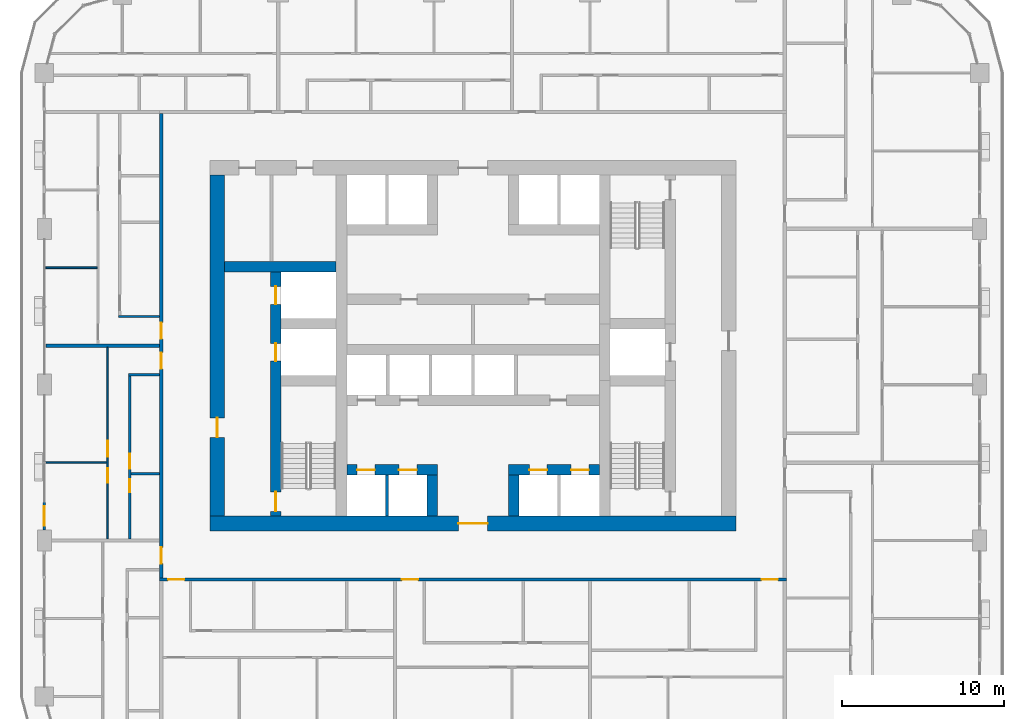
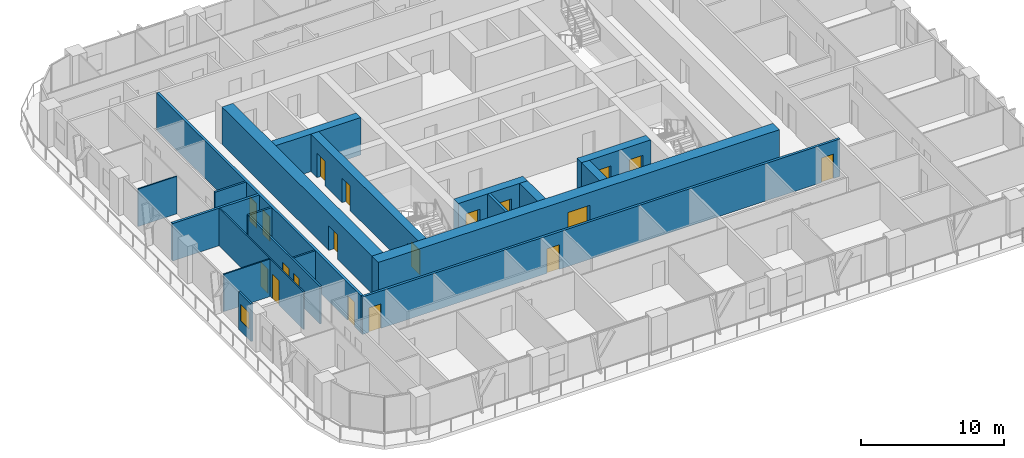
# One storey, part 10 of 22: 20 walls, 19 doors, 1 window, 20 openings.
"""IFC4 building model written with IfcOpenShell, lengths in metres."""

from ifc_helpers import new_model, si_unit, direction, frame, frame_2d, origin, place, context, subcontext, project, spatial, rectangle, extrude, material, layer, layer_set, type_object, element, fill, save


model = new_model("IFC4")

# Units and contexts
model_context = context("Model", 3, precision=1e-05, world=origin(), true_north=direction((0.0, 1.0)))
body_context = subcontext(model_context, "Body", "Model", "MODEL_VIEW")
ifc_project = project(units=[si_unit("LENGTHUNIT", "METRE"), si_unit("AREAUNIT", "SQUARE_METRE"), si_unit("VOLUMEUNIT", "CUBIC_METRE"), si_unit("PLANEANGLEUNIT", "RADIAN"), si_unit("MASSUNIT", "GRAM", prefix="KILO")], contexts=[model_context])

# Site, building, storey
site_placement = place(None, origin())
site = spatial("IfcSite", under=ifc_project, at=site_placement, CompositionType="ELEMENT")
building_placement = place(site_placement, origin())
building = spatial("IfcBuilding", under=site, at=building_placement, Name="Madar Terraces", CompositionType="ELEMENT")
storey_placement = place(building_placement, frame((0.0, 0.0, 73.300048828125)))
storey = spatial("IfcBuildingStorey", under=building, at=storey_placement, Name="L18", CompositionType="ELEMENT", Elevation=73.300048828125)

# Wall, openings, doors
ifc_material_1 = material(Name="Concrete C80/95", Category="concrete")
ifc_layer_1 = layer(ifc_material_1, 0.64990234375)
ifc_layer_set_1 = layer_set([ifc_layer_1], Name="Concrete C80/95 (CIW2 RC wall 650)")
wall_type_1 = type_object("IfcWallType", Name="CIW2 RC wall 650", PredefinedType="SHEAR", material=ifc_layer_set_1)
wall_1_placement = place(storey_placement, frame((19.050048828125, 15.89990234375, 0.0), z_axis=(0.0, 0.0, 1.0), x_axis=(0.0, 1.0, 0.0)))
wall_1 = element("IfcWall", 1, at=wall_1_placement, inside=storey, type_object=wall_type_1, Name="CORE SHAFT WALL", PredefinedType="SHEAR", context=body_context, shape_type="SweptSolid", body=[
    extrude(rectangle(XDim=15.025146484375, YDim=0.64990234375, at=frame_2d((7.5126953125, 0.0))), origin(), (0.0, 0.0, 1.0), 3.199951171875),
])
opening_1_placement = place(wall_1_placement, frame((9.550048828125, 0.0, 0.0)))
opening_1 = element("IfcOpeningElement", 2, at=opening_1_placement, cuts=wall_1, Name="Opening LD", PredefinedType="OPENING", context=body_context, shape_type="SweptSolid", body=[
    extrude(rectangle(XDim=1.10009765625, YDim=2.10009765625, at=frame_2d((0.550048828125, 1.050048828125))), frame((0.0, 0.3349609375, 0.0), z_axis=(0.0, -1.0, 0.0), x_axis=(1.0, 0.0, 0.0)), (0.0, 0.0, 1.0), 0.669921875),
])
opening_2_placement = place(wall_1_placement, frame((13.050048828125, 0.0, 0.0)))
opening_2 = element("IfcOpeningElement", 3, at=opening_2_placement, cuts=wall_1, Name="Opening LD", PredefinedType="OPENING", context=body_context, shape_type="SweptSolid", body=[
    extrude(rectangle(XDim=1.10009765625, YDim=2.10009765625, at=frame_2d((0.550048828125, 1.050048828125))), frame((0.0, 0.3349609375, 0.0), z_axis=(0.0, -1.0, 0.0), x_axis=(1.0, 0.0, 0.0)), (0.0, 0.0, 1.0), 0.669921875),
])
opening_3_placement = place(wall_1_placement, frame((0.300048828125, 0.0, 0.0)))
opening_3 = element("IfcOpeningElement", 4, at=opening_3_placement, cuts=wall_1, Name="Opening SD1", PredefinedType="OPENING", context=body_context, shape_type="SweptSolid", body=[
    extrude(rectangle(XDim=1.199951171875, YDim=2.10009765625, at=frame_2d((0.60009765625, 1.050048828125))), frame((0.0, 0.3349609375, 0.0), z_axis=(0.0, -1.0, 0.0), x_axis=(1.0, 0.0, 0.0)), (0.0, 0.0, 1.0), 0.669921875),
])
ifc_material_2 = material(Name="Stainless steel panel", Category="steel")
door_type_1 = type_object("IfcDoorType", Name="Lift landing door 1100 x 2100", OperationType="DOUBLE_DOOR_SLIDING", PredefinedType="DOOR", material=ifc_material_2)
door_1_placement = place(opening_1_placement, origin())
door_1 = element("IfcDoor", 5, at=door_1_placement, inside=storey, type_object=door_type_1, Name="LIFT LANDING DOOR", OperationType="DOUBLE_DOOR_SLIDING", OverallHeight=2.10009765625, OverallWidth=1.10009765625, PredefinedType="DOOR", context=body_context, shape_type="SweptSolid", body=[
    extrude(rectangle(XDim=1.10009765625, YDim=2.10009765625, at=frame_2d((0.550048828125, 1.050048828125))), frame((0.0, 0.02490234375, 0.0), z_axis=(0.0, -1.0, 0.0), x_axis=(1.0, 0.0, 0.0)), (0.0, 0.0, 1.0), 0.050048828125),
])
fill(opening_1, door_1)
door_2_placement = place(opening_2_placement, origin())
door_2 = element("IfcDoor", 6, at=door_2_placement, inside=storey, type_object=door_type_1, Name="LIFT LANDING DOOR", OperationType="DOUBLE_DOOR_SLIDING", OverallHeight=2.10009765625, OverallWidth=1.10009765625, PredefinedType="DOOR", context=body_context, shape_type="SweptSolid", body=[
    extrude(rectangle(XDim=1.10009765625, YDim=2.10009765625, at=frame_2d((0.550048828125, 1.050048828125))), frame((0.0, 0.02490234375, 0.0), z_axis=(0.0, -1.0, 0.0), x_axis=(1.0, 0.0, 0.0)), (0.0, 0.0, 1.0), 0.050048828125),
])
fill(opening_2, door_2)
ifc_material_3 = material(Name="Steel door leaf", Category="steel")
door_type_2 = type_object("IfcDoorType", Name="Stair door 1200 x 2100", OperationType="NOTDEFINED", PredefinedType="DOOR", material=ifc_material_3)
door_3_placement = place(opening_3_placement, frame((1.199951171875, 0.0, 0.0), z_axis=(0.0, 0.0, 1.0), x_axis=(-1.0, 0.0, 0.0)))
door_3 = element("IfcDoor", 7, at=door_3_placement, inside=storey, type_object=door_type_2, Name="STAIR DOOR", OperationType="SINGLE_SWING_RIGHT", OverallHeight=2.10009765625, OverallWidth=1.199951171875, PredefinedType="DOOR", context=body_context, shape_type="SweptSolid", body=[
    extrude(rectangle(XDim=1.199951171875, YDim=2.10009765625, at=frame_2d((0.60009765625, 1.050048828125))), frame((0.0, 0.02490234375, 0.0), z_axis=(0.0, -1.0, 0.0), x_axis=(1.0, 0.0, 0.0)), (0.0, 0.0, 1.0), 0.050048828125),
])
fill(opening_3, door_3)

# Wall
wall_2_placement = place(storey_placement, frame((15.89990234375, 31.25, 0.0), z_axis=(0.0, 0.0, 1.0), x_axis=(1.0, 0.0, 0.0)))
element("IfcWall", 8, at=wall_2_placement, inside=storey, type_object=wall_type_1, Name="CORE SHAFT WALL", PredefinedType="SHEAR", context=body_context, shape_type="SweptSolid", body=[
    extrude(rectangle(XDim=6.875, YDim=0.64990234375, at=frame_2d((3.4375, 0.0))), origin(), (0.0, 0.0, 1.0), 3.199951171875),
])

# Wall, openings, doors
wall_3_placement = place(storey_placement, frame((23.425048828125, 18.75, 0.0), z_axis=(0.0, 0.0, 1.0), x_axis=(1.0, 0.0, 0.0)))
wall_3 = element("IfcWall", 9, at=wall_3_placement, inside=storey, type_object=wall_type_1, Name="CORE SHAFT WALL", PredefinedType="SHEAR", context=body_context, shape_type="SweptSolid", body=[
    extrude(rectangle(XDim=5.599853515625, YDim=0.64990234375, at=frame_2d((2.7998046875, 0.0))), origin(), (0.0, 0.0, 1.0), 3.199951171875),
])
opening_4_placement = place(wall_3_placement, frame((0.637451171875, 0.0, 0.0)))
opening_4 = element("IfcOpeningElement", 10, at=opening_4_placement, cuts=wall_3, Name="Opening LD", PredefinedType="OPENING", context=body_context, shape_type="SweptSolid", body=[
    extrude(rectangle(XDim=1.10009765625, YDim=2.10009765625, at=frame_2d((0.550048828125, 1.050048828125))), frame((0.0, 0.3349609375, 0.0), z_axis=(0.0, -1.0, 0.0), x_axis=(1.0, 0.0, 0.0)), (0.0, 0.0, 1.0), 0.669921875),
])
opening_5_placement = place(wall_3_placement, frame((3.21240234375, 0.0, 0.0)))
opening_5 = element("IfcOpeningElement", 11, at=opening_5_placement, cuts=wall_3, Name="Opening LD", PredefinedType="OPENING", context=body_context, shape_type="SweptSolid", body=[
    extrude(rectangle(XDim=1.10009765625, YDim=2.10009765625, at=frame_2d((0.550048828125, 1.050048828125))), frame((0.0, 0.3349609375, 0.0), z_axis=(0.0, -1.0, 0.0), x_axis=(1.0, 0.0, 0.0)), (0.0, 0.0, 1.0), 0.669921875),
])
door_4_placement = place(opening_4_placement, origin())
door_4 = element("IfcDoor", 12, at=door_4_placement, inside=storey, type_object=door_type_1, Name="LIFT LANDING DOOR", OperationType="DOUBLE_DOOR_SLIDING", OverallHeight=2.10009765625, OverallWidth=1.10009765625, PredefinedType="DOOR", context=body_context, shape_type="SweptSolid", body=[
    extrude(rectangle(XDim=1.10009765625, YDim=2.10009765625, at=frame_2d((0.550048828125, 1.050048828125))), frame((0.0, 0.02490234375, 0.0), z_axis=(0.0, -1.0, 0.0), x_axis=(1.0, 0.0, 0.0)), (0.0, 0.0, 1.0), 0.050048828125),
])
fill(opening_4, door_4)
door_5_placement = place(opening_5_placement, origin())
door_5 = element("IfcDoor", 13, at=door_5_placement, inside=storey, type_object=door_type_1, Name="LIFT LANDING DOOR", OperationType="DOUBLE_DOOR_SLIDING", OverallHeight=2.10009765625, OverallWidth=1.10009765625, PredefinedType="DOOR", context=body_context, shape_type="SweptSolid", body=[
    extrude(rectangle(XDim=1.10009765625, YDim=2.10009765625, at=frame_2d((0.550048828125, 1.050048828125))), frame((0.0, 0.02490234375, 0.0), z_axis=(0.0, -1.0, 0.0), x_axis=(1.0, 0.0, 0.0)), (0.0, 0.0, 1.0), 0.050048828125),
])
fill(opening_5, door_5)

wall_4_placement = place(storey_placement, frame((33.375, 18.75, 0.0), z_axis=(0.0, 0.0, 1.0), x_axis=(1.0, 0.0, 0.0)))
wall_4 = element("IfcWall", 14, at=wall_4_placement, inside=storey, type_object=wall_type_1, Name="CORE SHAFT WALL", PredefinedType="SHEAR", context=body_context, shape_type="SweptSolid", body=[
    extrude(rectangle(XDim=5.60009765625, YDim=0.64990234375, at=frame_2d((2.800048828125, 0.0))), origin(), (0.0, 0.0, 1.0), 3.199951171875),
])
opening_6_placement = place(wall_4_placement, frame((1.28759765625, 0.0, 0.0)))
opening_6 = element("IfcOpeningElement", 15, at=opening_6_placement, cuts=wall_4, Name="Opening LD", PredefinedType="OPENING", context=body_context, shape_type="SweptSolid", body=[
    extrude(rectangle(XDim=1.10009765625, YDim=2.10009765625, at=frame_2d((0.550048828125, 1.050048828125))), frame((0.0, 0.3349609375, 0.0), z_axis=(0.0, -1.0, 0.0), x_axis=(1.0, 0.0, 0.0)), (0.0, 0.0, 1.0), 0.669921875),
])
opening_7_placement = place(wall_4_placement, frame((3.862548828125, 0.0, 0.0)))
opening_7 = element("IfcOpeningElement", 16, at=opening_7_placement, cuts=wall_4, Name="Opening LD", PredefinedType="OPENING", context=body_context, shape_type="SweptSolid", body=[
    extrude(rectangle(XDim=1.10009765625, YDim=2.10009765625, at=frame_2d((0.550048828125, 1.050048828125))), frame((0.0, 0.3349609375, 0.0), z_axis=(0.0, -1.0, 0.0), x_axis=(1.0, 0.0, 0.0)), (0.0, 0.0, 1.0), 0.669921875),
])
door_6_placement = place(opening_6_placement, origin())
door_6 = element("IfcDoor", 17, at=door_6_placement, inside=storey, type_object=door_type_1, Name="LIFT LANDING DOOR", OperationType="DOUBLE_DOOR_SLIDING", OverallHeight=2.10009765625, OverallWidth=1.10009765625, PredefinedType="DOOR", context=body_context, shape_type="SweptSolid", body=[
    extrude(rectangle(XDim=1.10009765625, YDim=2.10009765625, at=frame_2d((0.550048828125, 1.050048828125))), frame((0.0, 0.02490234375, 0.0), z_axis=(0.0, -1.0, 0.0), x_axis=(1.0, 0.0, 0.0)), (0.0, 0.0, 1.0), 0.050048828125),
])
fill(opening_6, door_6)
door_7_placement = place(opening_7_placement, origin())
door_7 = element("IfcDoor", 18, at=door_7_placement, inside=storey, type_object=door_type_1, Name="LIFT LANDING DOOR", OperationType="DOUBLE_DOOR_SLIDING", OverallHeight=2.10009765625, OverallWidth=1.10009765625, PredefinedType="DOOR", context=body_context, shape_type="SweptSolid", body=[
    extrude(rectangle(XDim=1.10009765625, YDim=2.10009765625, at=frame_2d((0.550048828125, 1.050048828125))), frame((0.0, 0.02490234375, 0.0), z_axis=(0.0, -1.0, 0.0), x_axis=(1.0, 0.0, 0.0)), (0.0, 0.0, 1.0), 0.050048828125),
])
fill(opening_7, door_7)

# Walls
for number, where, z_axis, x_axis, name in (
    (19, (28.699951171875, 15.89990234375, 0.0), (0.0, 0.0, 1.0), (0.0, 1.0, 0.0), "CORE SHAFT WALL"),
    (20, (33.699951171875, 15.89990234375, 0.0), (0.0, 0.0, 1.0), (0.0, 1.0, 0.0), "CORE SHAFT WALL"),
):
    element("IfcWall", number, at=place(storey_placement, frame(where, z_axis=z_axis, x_axis=x_axis)), inside=storey, type_object=wall_type_1, Name=name, PredefinedType="SHEAR", context=body_context, shape_type="SweptSolid", body=[
        extrude(rectangle(XDim=2.525146484375, YDim=0.64990234375, at=frame_2d((1.2626953125, 0.0))), origin(), (0.0, 0.0, 1.0), 3.199951171875),
    ])

# Wall, opening, door
ifc_material_4 = material(Name="Concrete C80/95", Category="concrete")
ifc_layer_2 = layer(ifc_material_4, 0.89990234375)
ifc_layer_set_2 = layer_set([ifc_layer_2], Name="Concrete C80/95 (CRW2 RC wall 900)")
wall_type_2 = type_object("IfcWallType", Name="CRW2 RC wall 900", PredefinedType="SHEAR", material=ifc_layer_set_2)
wall_5_placement = place(storey_placement, frame((15.0, 15.449951171875, 0.0), z_axis=(0.0, 0.0, 1.0), x_axis=(1.0, 0.0, 0.0)))
wall_5 = element("IfcWall", 21, at=wall_5_placement, inside=storey, type_object=wall_type_2, Name="CORE OUTER WALL", PredefinedType="SHEAR", context=body_context, shape_type="SweptSolid", body=[
    extrude(rectangle(XDim=32.39990234375, YDim=0.89990234375, at=frame_2d((16.199951171875, 0.0))), origin(), (0.0, 0.0, 1.0), 3.199951171875),
])
opening_8_placement = place(wall_5_placement, frame((15.300048828125, 0.0, 0.0)))
opening_8 = element("IfcOpeningElement", 22, at=opening_8_placement, cuts=wall_5, Name="Opening KD1", PredefinedType="OPENING", context=body_context, shape_type="SweptSolid", body=[
    extrude(rectangle(XDim=1.800048828125, YDim=2.10009765625, at=frame_2d((0.89990234375, 1.050048828125))), frame((0.0, 0.4599609375, 0.0), z_axis=(0.0, -1.0, 0.0), x_axis=(1.0, 0.0, 0.0)), (0.0, 0.0, 1.0), 0.919921875),
])
ifc_material_5 = material(Name="Steel door leaf", Category="steel")
door_type_3 = type_object("IfcDoorType", Name="Lobby door pair 1800 x 2100", OperationType="DOUBLE_DOOR_SINGLE_SWING", PredefinedType="DOOR", material=ifc_material_5)
door_8_placement = place(opening_8_placement, frame((1.800048828125, 0.0, 0.0), z_axis=(0.0, 0.0, 1.0), x_axis=(-1.0, 0.0, 0.0)))
door_8 = element("IfcDoor", 23, at=door_8_placement, inside=storey, type_object=door_type_3, Name="LIFT LOBBY DOOR", OperationType="DOUBLE_DOOR_SINGLE_SWING", OverallHeight=2.10009765625, OverallWidth=1.800048828125, PredefinedType="DOOR", context=body_context, shape_type="SweptSolid", body=[
    extrude(rectangle(XDim=1.800048828125, YDim=2.10009765625, at=frame_2d((0.89990234375, 1.050048828125))), frame((0.0, 0.02490234375, 0.0), z_axis=(0.0, -1.0, 0.0), x_axis=(1.0, 0.0, 0.0)), (0.0, 0.0, 1.0), 0.050048828125),
])
fill(opening_8, door_8)

wall_6_placement = place(storey_placement, frame((15.449951171875, 15.89990234375, 0.0), z_axis=(0.0, 0.0, 1.0), x_axis=(0.0, 1.0, 0.0)))
wall_6 = element("IfcWall", 24, at=wall_6_placement, inside=storey, type_object=wall_type_2, Name="CORE OUTER WALL", PredefinedType="SHEAR", context=body_context, shape_type="SweptSolid", body=[
    extrude(rectangle(XDim=21.0, YDim=0.89990234375, at=frame_2d((10.5, 0.0))), origin(), (0.0, 0.0, 1.0), 3.199951171875),
])
opening_9_placement = place(wall_6_placement, frame((4.860107421875, 0.0, 0.0)))
opening_9 = element("IfcOpeningElement", 25, at=opening_9_placement, cuts=wall_6, Name="Opening SD1", PredefinedType="OPENING", context=body_context, shape_type="SweptSolid", body=[
    extrude(rectangle(XDim=1.199951171875, YDim=2.10009765625, at=frame_2d((0.60009765625, 1.050048828125))), frame((0.0, 0.4599609375, 0.0), z_axis=(0.0, -1.0, 0.0), x_axis=(1.0, 0.0, 0.0)), (0.0, 0.0, 1.0), 0.919921875),
])
door_9_placement = place(opening_9_placement, frame((1.199951171875, 0.0, 0.0), z_axis=(0.0, 0.0, 1.0), x_axis=(-1.0, 0.0, 0.0)))
door_9 = element("IfcDoor", 26, at=door_9_placement, inside=storey, type_object=door_type_2, Name="STAIR DOOR", OperationType="SINGLE_SWING_LEFT", OverallHeight=2.10009765625, OverallWidth=1.199951171875, PredefinedType="DOOR", context=body_context, shape_type="SweptSolid", body=[
    extrude(rectangle(XDim=1.199951171875, YDim=2.10009765625, at=frame_2d((0.60009765625, 1.050048828125))), frame((0.0, 0.02490234375, 0.0), z_axis=(0.0, -1.0, 0.0), x_axis=(1.0, 0.0, 0.0)), (0.0, 0.0, 1.0), 0.050048828125),
])
fill(opening_9, door_9)

# Wall
ifc_material_6 = material(Name="Concrete C40/50", Category="concrete")
ifc_layer_3 = layer(ifc_material_6, 0.199951171875)
ifc_layer_set_3 = layer_set([ifc_layer_3], Name="Core shaft dividing wall 200 C40/50")
wall_type_3 = type_object("IfcWallType", Name="Core shaft dividing wall 200 C40/50", PredefinedType="SOLIDWALL", material=ifc_layer_set_3)
wall_7_placement = place(storey_placement, frame((25.89990234375, 15.89990234375, 0.0), z_axis=(0.0, 0.0, 1.0), x_axis=(0.0, 1.0, 0.0)))
element("IfcWall", 27, at=wall_7_placement, inside=storey, type_object=wall_type_3, Name="SHAFT DIVIDING WALL", PredefinedType="SOLIDWALL", context=body_context, shape_type="SweptSolid", body=[
    extrude(rectangle(XDim=2.525146484375, YDim=0.199951171875, at=frame_2d((1.2626953125, 0.0))), origin(), (0.0, 0.0, 1.0), 3.199951171875),
])

# Wall, opening, window
ifc_material_7 = material(Name="Aluminium composite panel, black, over insulated backing", Category="aluminium")
ifc_layer_4 = layer(ifc_material_7, 0.14990234375)
ifc_layer_set_4 = layer_set([ifc_layer_4], Name="Facade bay panel 150")
wall_type_4 = type_object("IfcWallType", Name="Facade bay panel 150", PredefinedType="SOLIDWALL", material=ifc_layer_set_4)
wall_8_placement = place(storey_placement, frame((4.800048828125, 16.800048828125, 0.0), z_axis=(0.0, 0.0, 1.0), x_axis=(0.0, -1.0, 0.0)))
wall_8 = element("IfcWall", 28, at=wall_8_placement, inside=storey, type_object=wall_type_4, Name="Facade bay panel", PredefinedType="SOLIDWALL", context=body_context, shape_type="SweptSolid", body=[
    extrude(rectangle(XDim=1.75, YDim=0.14990234375, at=frame_2d((0.875, 0.0))), origin(), (0.0, 0.0, 1.0), 3.199951171875),
])
opening_10_placement = place(wall_8_placement, frame((0.27490234375, 0.0, 0.89990234375)))
opening_10 = element("IfcOpeningElement", 29, at=opening_10_placement, cuts=wall_8, Name="Opening W1", PredefinedType="OPENING", context=body_context, shape_type="SweptSolid", body=[
    extrude(rectangle(XDim=1.199951171875, YDim=1.39990234375, at=frame_2d((0.60009765625, 0.699951171875))), frame((0.0, 0.0849609375, 0.0), z_axis=(0.0, -1.0, 0.0), x_axis=(1.0, 0.0, 0.0)), (0.0, 0.0, 1.0), 0.169921875),
])
ifc_material_8 = material(Name="Glass, clear, with black aluminium frame", Category="aluminium")
window_type = type_object("IfcWindowType", Name="Vent window 1200 x 1400", PartitioningType="SINGLE_PANEL", PredefinedType="WINDOW", material=ifc_material_8)
window_placement = place(opening_10_placement, origin())
window = element("IfcWindow", 30, at=window_placement, inside=storey, type_object=window_type, Name="Operable vent window", OverallHeight=1.39990234375, OverallWidth=1.199951171875, PartitioningType="SINGLE_PANEL", PredefinedType="WINDOW", context=body_context, shape_type="SweptSolid", body=[
    extrude(rectangle(XDim=1.199951171875, YDim=1.39990234375, at=frame_2d((0.60009765625, 0.699951171875))), frame((0.0, 0.030029296875, 0.0), z_axis=(0.0, -1.0, 0.0), x_axis=(1.0, 0.0, 0.0)), (0.0, 0.0, 1.0), 0.06005859375),
])
fill(opening_10, window)

# Walls
ifc_material_9 = material(Name="Gypsum board on steel studs", Category="steel")
ifc_layer_5 = layer(ifc_material_9, 0.10009765625)
ifc_layer_set_5 = layer_set([ifc_layer_5], Name="Flat partition 100")
wall_type_5 = type_object("IfcWallType", Name="Flat partition 100", PredefinedType="PARTITIONING", material=ifc_layer_set_5)
wall_9_placement = place(storey_placement, frame((8.050048828125, 31.199951171875, 0.0), z_axis=(0.0, 0.0, 1.0), x_axis=(-1.0, 0.0, 0.0)))
element("IfcWall", 31, at=wall_9_placement, inside=storey, type_object=wall_type_5, Name="Flat partition 100", PredefinedType="PARTITIONING", context=body_context, shape_type="SweptSolid", body=[
    extrude(rectangle(XDim=3.150146484375, YDim=0.10009765625, at=frame_2d((1.5751953125, 0.0))), origin(), (0.0, 0.0, 1.0), 3.199951171875),
])
wall_10_placement = place(storey_placement, frame((8.64990234375, 19.199951171875, 0.0), z_axis=(0.0, 0.0, 1.0), x_axis=(-1.0, 0.0, 0.0)))
element("IfcWall", 32, at=wall_10_placement, inside=storey, type_object=wall_type_5, Name="Flat partition 100", PredefinedType="PARTITIONING", context=body_context, shape_type="SweptSolid", body=[
    extrude(rectangle(XDim=3.75, YDim=0.10009765625, at=frame_2d((1.875, 0.0))), origin(), (0.0, 0.0, 1.0), 3.199951171875),
])

# Wall, openings, doors
wall_11_placement = place(storey_placement, frame((8.699951171875, 14.5, 0.0), z_axis=(0.0, 0.0, 1.0), x_axis=(0.0, 1.0, 0.0)))
wall_11 = element("IfcWall", 33, at=wall_11_placement, inside=storey, type_object=wall_type_5, Name="Flat partition 100", PredefinedType="PARTITIONING", context=body_context, shape_type="SweptSolid", body=[
    extrude(rectangle(XDim=11.800048828125, YDim=0.10009765625, at=frame_2d((5.89990234375, 0.0))), origin(), (0.0, 0.0, 1.0), 3.199951171875),
])
opening_11_placement = place(wall_11_placement, frame((5.050048828125, 0.0, 0.0)))
opening_11 = element("IfcOpeningElement", 34, at=opening_11_placement, cuts=wall_11, Name="Opening D3", PredefinedType="OPENING", context=body_context, shape_type="SweptSolid", body=[
    extrude(rectangle(XDim=1.0, YDim=2.10009765625, at=frame_2d((0.5, 1.050048828125))), frame((0.0, 0.06005859375, 0.0), z_axis=(0.0, -1.0, 0.0), x_axis=(1.0, 0.0, 0.0)), (0.0, 0.0, 1.0), 0.1201171875),
])
opening_12_placement = place(wall_11_placement, frame((3.449951171875, 0.0, 0.0)))
opening_12 = element("IfcOpeningElement", 35, at=opening_12_placement, cuts=wall_11, Name="Opening D2", PredefinedType="OPENING", context=body_context, shape_type="SweptSolid", body=[
    extrude(rectangle(XDim=0.89990234375, YDim=2.10009765625, at=frame_2d((0.449951171875, 1.050048828125))), frame((0.0, 0.06005859375, 0.0), z_axis=(0.0, -1.0, 0.0), x_axis=(1.0, 0.0, 0.0)), (0.0, 0.0, 1.0), 0.1201171875),
])
ifc_material_10 = material(Name="Timber door leaf", Category="wood")
door_type_4 = type_object("IfcDoorType", Name="Flat living room door 1000", OperationType="NOTDEFINED", PredefinedType="DOOR", material=ifc_material_10)
door_10_placement = place(opening_11_placement, origin())
door_10 = element("IfcDoor", 36, at=door_10_placement, inside=storey, type_object=door_type_4, Name="Flat living room door 1000", OperationType="SINGLE_SWING_LEFT", OverallHeight=2.10009765625, OverallWidth=1.0, PredefinedType="DOOR", context=body_context, shape_type="SweptSolid", body=[
    extrude(rectangle(XDim=1.0, YDim=2.10009765625, at=frame_2d((0.5, 1.050048828125))), frame((0.0, 0.02490234375, 0.0), z_axis=(0.0, -1.0, 0.0), x_axis=(1.0, 0.0, 0.0)), (0.0, 0.0, 1.0), 0.050048828125),
])
fill(opening_11, door_10)
ifc_material_11 = material(Name="Timber door leaf", Category="wood")
door_type_5 = type_object("IfcDoorType", Name="Flat room door 900", OperationType="NOTDEFINED", PredefinedType="DOOR", material=ifc_material_11)
door_11_placement = place(opening_12_placement, origin())
door_11 = element("IfcDoor", 37, at=door_11_placement, inside=storey, type_object=door_type_5, Name="Flat room door 900", OperationType="SINGLE_SWING_RIGHT", OverallHeight=2.10009765625, OverallWidth=0.89990234375, PredefinedType="DOOR", context=body_context, shape_type="SweptSolid", body=[
    extrude(rectangle(XDim=0.89990234375, YDim=2.10009765625, at=frame_2d((0.449951171875, 1.050048828125))), frame((0.0, 0.02490234375, 0.0), z_axis=(0.0, -1.0, 0.0), x_axis=(1.0, 0.0, 0.0)), (0.0, 0.0, 1.0), 0.050048828125),
])
fill(opening_12, door_11)

ifc_material_12 = material(Name="Lightweight blockwork", Category="masonry")
ifc_layer_6 = layer(ifc_material_12, 0.199951171875)
ifc_layer_set_6 = layer_set([ifc_layer_6], Name="Flat party and entrance wall 200")
wall_type_6 = type_object("IfcWallType", Name="Flat party and entrance wall 200", PredefinedType="PARTITIONING", material=ifc_layer_set_6)
wall_12_placement = place(storey_placement, frame((50.5, 12.0, 0.0), z_axis=(0.0, 0.0, 1.0), x_axis=(-1.0, 0.0, 0.0)))
wall_12 = element("IfcWall", 38, at=wall_12_placement, inside=storey, type_object=wall_type_6, Name="Flat party and entrance wall 200", PredefinedType="PARTITIONING", context=body_context, shape_type="SweptSolid", body=[
    extrude(rectangle(XDim=38.60009765625, YDim=0.199951171875, at=frame_2d((19.300048828125, 0.0))), origin(), (0.0, 0.0, 1.0), 3.199951171875),
])
opening_13_placement = place(wall_12_placement, frame((37.074951171875, 0.0, 0.0)))
opening_13 = element("IfcOpeningElement", 39, at=opening_13_placement, cuts=wall_12, Name="Opening D1", PredefinedType="OPENING", context=body_context, shape_type="SweptSolid", body=[
    extrude(rectangle(XDim=1.0, YDim=2.10009765625, at=frame_2d((0.5, 1.050048828125))), frame((0.0, 0.10986328125, 0.0), z_axis=(0.0, -1.0, 0.0), x_axis=(1.0, 0.0, 0.0)), (0.0, 0.0, 1.0), 0.219970703125),
])
opening_14_placement = place(wall_12_placement, frame((22.675048828125, 0.0, 0.0)))
opening_14 = element("IfcOpeningElement", 40, at=opening_14_placement, cuts=wall_12, Name="Opening D1", PredefinedType="OPENING", context=body_context, shape_type="SweptSolid", body=[
    extrude(rectangle(XDim=1.0, YDim=2.10009765625, at=frame_2d((0.5, 1.050048828125))), frame((0.0, 0.10986328125, 0.0), z_axis=(0.0, -1.0, 0.0), x_axis=(1.0, 0.0, 0.0)), (0.0, 0.0, 1.0), 0.219970703125),
])
opening_15_placement = place(wall_12_placement, frame((0.52490234375, 0.0, 0.0)))
opening_15 = element("IfcOpeningElement", 41, at=opening_15_placement, cuts=wall_12, Name="Opening D1", PredefinedType="OPENING", context=body_context, shape_type="SweptSolid", body=[
    extrude(rectangle(XDim=1.0, YDim=2.10009765625, at=frame_2d((0.5, 1.050048828125))), frame((0.0, 0.10986328125, 0.0), z_axis=(0.0, -1.0, 0.0), x_axis=(1.0, 0.0, 0.0)), (0.0, 0.0, 1.0), 0.219970703125),
])
ifc_material_13 = material(Name="Timber fire door leaf", Category="wood")
door_type_6 = type_object("IfcDoorType", Name="Flat entrance door 1000 FD30S", OperationType="NOTDEFINED", PredefinedType="DOOR", material=ifc_material_13)
door_12_placement = place(opening_13_placement, origin())
door_12 = element("IfcDoor", 42, at=door_12_placement, inside=storey, type_object=door_type_6, Name="Flat entrance door 1000 FD30S", OperationType="SINGLE_SWING_RIGHT", OverallHeight=2.10009765625, OverallWidth=1.0, PredefinedType="DOOR", context=body_context, shape_type="SweptSolid", body=[
    extrude(rectangle(XDim=1.0, YDim=2.10009765625, at=frame_2d((0.5, 1.050048828125))), frame((0.0, 0.02490234375, 0.0), z_axis=(0.0, -1.0, 0.0), x_axis=(1.0, 0.0, 0.0)), (0.0, 0.0, 1.0), 0.050048828125),
])
fill(opening_13, door_12)
door_13_placement = place(opening_14_placement, origin())
door_13 = element("IfcDoor", 43, at=door_13_placement, inside=storey, type_object=door_type_6, Name="Flat entrance door 1000 FD30S", OperationType="SINGLE_SWING_RIGHT", OverallHeight=2.10009765625, OverallWidth=1.0, PredefinedType="DOOR", context=body_context, shape_type="SweptSolid", body=[
    extrude(rectangle(XDim=1.0, YDim=2.10009765625, at=frame_2d((0.5, 1.050048828125))), frame((0.0, 0.02490234375, 0.0), z_axis=(0.0, -1.0, 0.0), x_axis=(1.0, 0.0, 0.0)), (0.0, 0.0, 1.0), 0.050048828125),
])
fill(opening_14, door_13)
door_14_placement = place(opening_15_placement, origin())
door_14 = element("IfcDoor", 44, at=door_14_placement, inside=storey, type_object=door_type_6, Name="Flat entrance door 1000 FD30S", OperationType="SINGLE_SWING_LEFT", OverallHeight=2.10009765625, OverallWidth=1.0, PredefinedType="DOOR", context=body_context, shape_type="SweptSolid", body=[
    extrude(rectangle(XDim=1.0, YDim=2.10009765625, at=frame_2d((0.5, 1.050048828125))), frame((0.0, 0.02490234375, 0.0), z_axis=(0.0, -1.0, 0.0), x_axis=(1.0, 0.0, 0.0)), (0.0, 0.0, 1.0), 0.050048828125),
])
fill(opening_15, door_14)

wall_13_placement = place(storey_placement, frame((12.0, 12.10009765625, 0.0), z_axis=(0.0, 0.0, 1.0), x_axis=(0.0, 1.0, 0.0)))
wall_13 = element("IfcWall", 45, at=wall_13_placement, inside=storey, type_object=wall_type_6, Name="Flat party and entrance wall 200", PredefinedType="PARTITIONING", context=body_context, shape_type="SweptSolid", body=[
    extrude(rectangle(XDim=28.599853515625, YDim=0.199951171875, at=frame_2d((14.2998046875, 0.0))), origin(), (0.0, 0.0, 1.0), 3.199951171875),
])
opening_16_placement = place(wall_13_placement, frame((14.72509765625, 0.0, 0.0)))
opening_16 = element("IfcOpeningElement", 46, at=opening_16_placement, cuts=wall_13, Name="Opening D1", PredefinedType="OPENING", context=body_context, shape_type="SweptSolid", body=[
    extrude(rectangle(XDim=1.0, YDim=2.10009765625, at=frame_2d((0.5, 1.050048828125))), frame((0.0, 0.10986328125, 0.0), z_axis=(0.0, -1.0, 0.0), x_axis=(1.0, 0.0, 0.0)), (0.0, 0.0, 1.0), 0.219970703125),
])
opening_17_placement = place(wall_13_placement, frame((12.875, 0.0, 0.0)))
opening_17 = element("IfcOpeningElement", 47, at=opening_17_placement, cuts=wall_13, Name="Opening D1", PredefinedType="OPENING", context=body_context, shape_type="SweptSolid", body=[
    extrude(rectangle(XDim=1.0, YDim=2.10009765625, at=frame_2d((0.5, 1.050048828125))), frame((0.0, 0.10986328125, 0.0), z_axis=(0.0, -1.0, 0.0), x_axis=(1.0, 0.0, 0.0)), (0.0, 0.0, 1.0), 0.219970703125),
])
opening_18_placement = place(wall_13_placement, frame((0.875, 0.0, 0.0)))
opening_18 = element("IfcOpeningElement", 48, at=opening_18_placement, cuts=wall_13, Name="Opening D1", PredefinedType="OPENING", context=body_context, shape_type="SweptSolid", body=[
    extrude(rectangle(XDim=1.0, YDim=2.10009765625, at=frame_2d((0.5, 1.050048828125))), frame((0.0, 0.10986328125, 0.0), z_axis=(0.0, -1.0, 0.0), x_axis=(1.0, 0.0, 0.0)), (0.0, 0.0, 1.0), 0.219970703125),
])
door_15_placement = place(opening_16_placement, origin())
door_15 = element("IfcDoor", 49, at=door_15_placement, inside=storey, type_object=door_type_6, Name="Flat entrance door 1000 FD30S", OperationType="SINGLE_SWING_LEFT", OverallHeight=2.10009765625, OverallWidth=1.0, PredefinedType="DOOR", context=body_context, shape_type="SweptSolid", body=[
    extrude(rectangle(XDim=1.0, YDim=2.10009765625, at=frame_2d((0.5, 1.050048828125))), frame((0.0, 0.02490234375, 0.0), z_axis=(0.0, -1.0, 0.0), x_axis=(1.0, 0.0, 0.0)), (0.0, 0.0, 1.0), 0.050048828125),
])
fill(opening_16, door_15)
door_16_placement = place(opening_17_placement, origin())
door_16 = element("IfcDoor", 50, at=door_16_placement, inside=storey, type_object=door_type_6, Name="Flat entrance door 1000 FD30S", OperationType="SINGLE_SWING_RIGHT", OverallHeight=2.10009765625, OverallWidth=1.0, PredefinedType="DOOR", context=body_context, shape_type="SweptSolid", body=[
    extrude(rectangle(XDim=1.0, YDim=2.10009765625, at=frame_2d((0.5, 1.050048828125))), frame((0.0, 0.02490234375, 0.0), z_axis=(0.0, -1.0, 0.0), x_axis=(1.0, 0.0, 0.0)), (0.0, 0.0, 1.0), 0.050048828125),
])
fill(opening_17, door_16)
door_17_placement = place(opening_18_placement, origin())
door_17 = element("IfcDoor", 51, at=door_17_placement, inside=storey, type_object=door_type_6, Name="Flat entrance door 1000 FD30S", OperationType="SINGLE_SWING_RIGHT", OverallHeight=2.10009765625, OverallWidth=1.0, PredefinedType="DOOR", context=body_context, shape_type="SweptSolid", body=[
    extrude(rectangle(XDim=1.0, YDim=2.10009765625, at=frame_2d((0.5, 1.050048828125))), frame((0.0, 0.02490234375, 0.0), z_axis=(0.0, -1.0, 0.0), x_axis=(1.0, 0.0, 0.0)), (0.0, 0.0, 1.0), 0.050048828125),
])
fill(opening_18, door_17)

# Walls
wall_14_placement = place(storey_placement, frame((4.89990234375, 26.39990234375, 0.0), z_axis=(0.0, 0.0, 1.0), x_axis=(1.0, 0.0, 0.0)))
element("IfcWall", 52, at=wall_14_placement, inside=storey, type_object=wall_type_6, Name="Flat party and entrance wall 200", PredefinedType="PARTITIONING", context=body_context, shape_type="SweptSolid", body=[
    extrude(rectangle(XDim=7.0, YDim=0.199951171875, at=frame_2d((3.5, 0.0))), origin(), (0.0, 0.0, 1.0), 3.199951171875),
])
ifc_material_14 = material(Name="Lightweight blockwork", Category="masonry")
ifc_layer_7 = layer(ifc_material_14, 0.14990234375)
ifc_layer_set_7 = layer_set([ifc_layer_7], Name="Flat wet-room partition 150")
wall_type_7 = type_object("IfcWallType", Name="Flat wet-room partition 150", PredefinedType="PARTITIONING", material=ifc_layer_set_7)
wall_15_placement = place(storey_placement, frame((11.89990234375, 28.199951171875, 0.0), z_axis=(0.0, 0.0, 1.0), x_axis=(-1.0, 0.0, 0.0)))
element("IfcWall", 53, at=wall_15_placement, inside=storey, type_object=wall_type_7, Name="Flat wet-room partition 150", PredefinedType="PARTITIONING", context=body_context, shape_type="SweptSolid", body=[
    extrude(rectangle(XDim=2.52490234375, YDim=0.14990234375, at=frame_2d((1.262451171875, 0.0))), origin(), (0.0, 0.0, 1.0), 3.199951171875),
])
wall_16_placement = place(storey_placement, frame((11.89990234375, 18.510009765625, 0.0), z_axis=(0.0, 0.0, 1.0), x_axis=(-1.0, 0.0, 0.0)))
element("IfcWall", 54, at=wall_16_placement, inside=storey, type_object=wall_type_7, Name="Flat wet-room partition 150", PredefinedType="PARTITIONING", context=body_context, shape_type="SweptSolid", body=[
    extrude(rectangle(XDim=1.77490234375, YDim=0.14990234375, at=frame_2d((0.887451171875, 0.0))), origin(), (0.0, 0.0, 1.0), 3.199951171875),
])
wall_17_placement = place(storey_placement, frame((11.89990234375, 24.60009765625, 0.0), z_axis=(0.0, 0.0, 1.0), x_axis=(-1.0, 0.0, 0.0)))
element("IfcWall", 55, at=wall_17_placement, inside=storey, type_object=wall_type_7, Name="Flat wet-room partition 150", PredefinedType="PARTITIONING", context=body_context, shape_type="SweptSolid", body=[
    extrude(rectangle(XDim=1.9248046875, YDim=0.14990234375, at=frame_2d((0.96240234375, 0.0))), origin(), (0.0, 0.0, 1.0), 3.199951171875),
])

# Wall, openings, doors
wall_18_placement = place(storey_placement, frame((10.050048828125, 24.52490234375, 0.0), z_axis=(0.0, 0.0, 1.0), x_axis=(0.0, -1.0, 0.0)))
wall_18 = element("IfcWall", 56, at=wall_18_placement, inside=storey, type_object=wall_type_7, Name="Flat wet-room partition 150", PredefinedType="PARTITIONING", context=body_context, shape_type="SweptSolid", body=[
    extrude(rectangle(XDim=10.02490234375, YDim=0.14990234375, at=frame_2d((5.012451171875, 0.0))), origin(), (0.0, 0.0, 1.0), 3.199951171875),
])
opening_19_placement = place(wall_18_placement, frame((4.7900390625, 0.0, 0.0)))
opening_19 = element("IfcOpeningElement", 57, at=opening_19_placement, cuts=wall_18, Name="Opening D2", PredefinedType="OPENING", context=body_context, shape_type="SweptSolid", body=[
    extrude(rectangle(XDim=0.89990234375, YDim=2.10009765625, at=frame_2d((0.449951171875, 1.050048828125))), frame((0.0, 0.0849609375, 0.0), z_axis=(0.0, -1.0, 0.0), x_axis=(1.0, 0.0, 0.0)), (0.0, 0.0, 1.0), 0.169921875),
])
opening_20_placement = place(wall_18_placement, frame((6.340087890625, 0.0, 0.0)))
opening_20 = element("IfcOpeningElement", 58, at=opening_20_placement, cuts=wall_18, Name="Opening D4", PredefinedType="OPENING", context=body_context, shape_type="SweptSolid", body=[
    extrude(rectangle(XDim=0.800048828125, YDim=2.10009765625, at=frame_2d((0.39990234375, 1.050048828125))), frame((0.0, 0.0849609375, 0.0), z_axis=(0.0, -1.0, 0.0), x_axis=(1.0, 0.0, 0.0)), (0.0, 0.0, 1.0), 0.169921875),
])
ifc_material_15 = material(Name="Timber door leaf", Category="wood")
door_type_7 = type_object("IfcDoorType", Name="Flat bathroom door 800", OperationType="NOTDEFINED", PredefinedType="DOOR", material=ifc_material_15)
door_18_placement = place(opening_20_placement, origin())
door_18 = element("IfcDoor", 59, at=door_18_placement, inside=storey, type_object=door_type_7, Name="Flat bathroom door 800", OperationType="SINGLE_SWING_LEFT", OverallHeight=2.10009765625, OverallWidth=0.800048828125, PredefinedType="DOOR", context=body_context, shape_type="SweptSolid", body=[
    extrude(rectangle(XDim=0.800048828125, YDim=2.10009765625, at=frame_2d((0.39990234375, 1.050048828125))), frame((0.0, 0.02490234375, 0.0), z_axis=(0.0, -1.0, 0.0), x_axis=(1.0, 0.0, 0.0)), (0.0, 0.0, 1.0), 0.050048828125),
])
fill(opening_20, door_18)
door_19_placement = place(opening_19_placement, origin())
door_19 = element("IfcDoor", 60, at=door_19_placement, inside=storey, type_object=door_type_5, Name="Flat room door 900", OperationType="SINGLE_SWING_RIGHT", OverallHeight=2.10009765625, OverallWidth=0.89990234375, PredefinedType="DOOR", context=body_context, shape_type="SweptSolid", body=[
    extrude(rectangle(XDim=0.89990234375, YDim=2.10009765625, at=frame_2d((0.449951171875, 1.050048828125))), frame((0.0, 0.02490234375, 0.0), z_axis=(0.0, -1.0, 0.0), x_axis=(1.0, 0.0, 0.0)), (0.0, 0.0, 1.0), 0.050048828125),
])
fill(opening_19, door_19)

save(model, "model.ifc")
